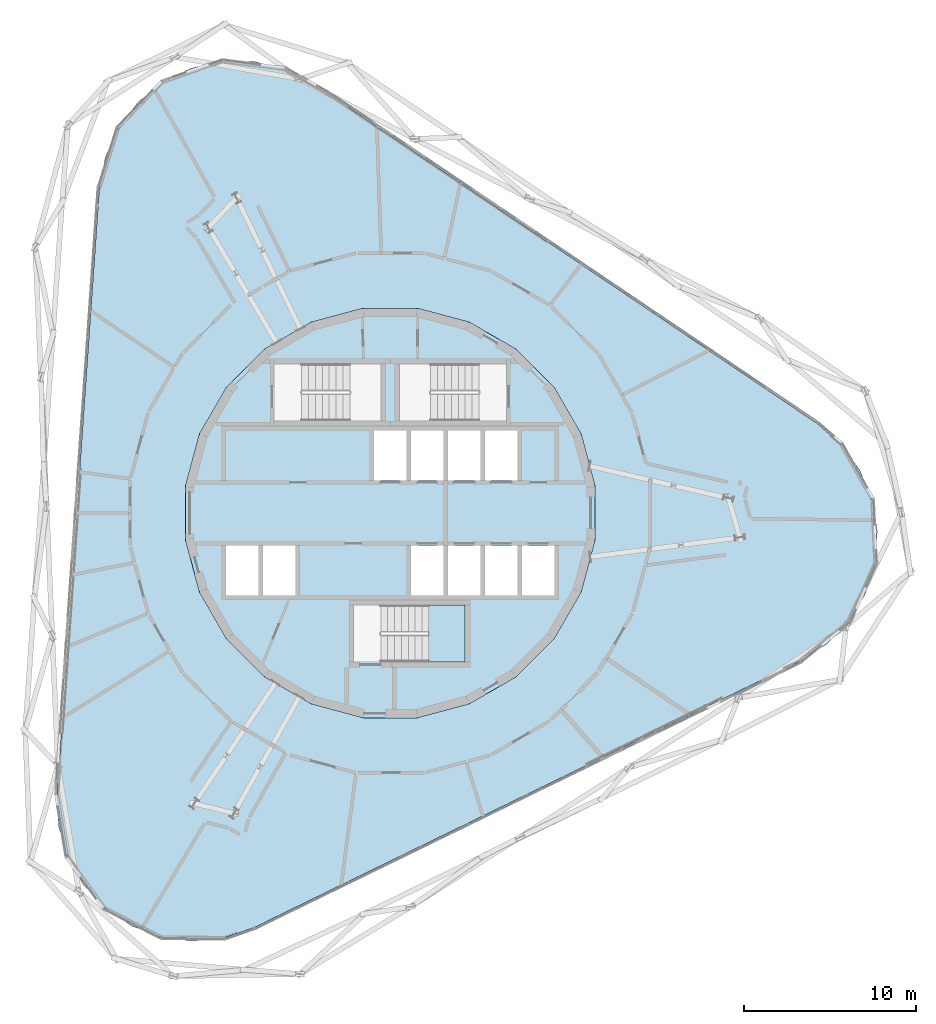
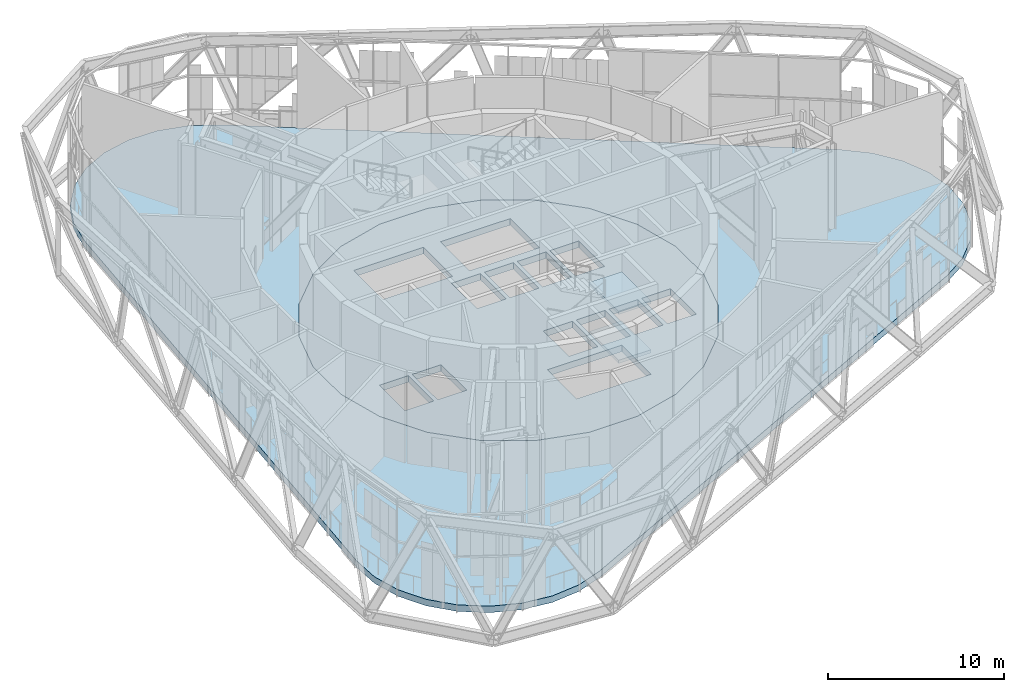
# One storey, part 11 of 24: 4 slabs, 1 element without a shape of its own.
"""IFC4 building model written with IfcOpenShell, lengths in metres."""

import ifcopenshell
import ifcopenshell.guid

model = None  # the IFC model being written
_history = None  # IfcOwnerHistory: only IFC2X3 demands one
_inside = {}  # id of a spatial element -> (the spatial element, [elements in it])
_under = {}  # id of a project, library or spatial element -> (it, [spatial elements below it])
_declared = {}  # id of a project -> (the project, [libraries it declares])
_typed = {}  # id of a type object -> (the type object, [elements of that type])
_made_of = {}  # id of a material, layer set ... -> (it, [elements and type objects made of it])


def new_model(schema):
    """Start an empty IFC model of exactly this schema.

    Asked for "IFC4X3", IfcOpenShell would pick the latest addendum, in which some entities
    have other attributes; the version numbers below select the first issue.
    IFC2X3 requires an IfcOwnerHistory on every rooted entity: one is made here for all.
    """
    global model, _history
    if schema == "IFC4X3":
        model = ifcopenshell.file(schema_version=(4, 3, 0, 0))
    else:
        model = ifcopenshell.file(schema=schema)
    _inside.clear()
    _under.clear()
    _declared.clear()
    _typed.clear()
    _made_of.clear()
    _history = None
    if model.schema == "IFC2X3":
        org = make("IfcOrganization", Name="unknown")
        user = make(
            "IfcPersonAndOrganization",
            ThePerson=make("IfcPerson", FamilyName="unknown"),
            TheOrganization=org,
        )
        app = make(
            "IfcApplication",
            ApplicationDeveloper=org,
            Version="unknown",
            ApplicationFullName="unknown",
            ApplicationIdentifier="unknown",
        )
        _history = make(
            "IfcOwnerHistory",
            OwningUser=user,
            OwningApplication=app,
            ChangeAction="ADDED",
            CreationDate=0,
        )
    return model


def make(cls, **values):
    """One entity of the class cls with the attributes given. An attribute that is None is left unset."""
    return model.create_entity(
        cls, **{name: value for name, value in values.items() if value is not None}
    )


def rooted(cls, **values):
    """An entity with a GlobalId (a new one), such as an element, a storey or a relation."""
    return make(cls, GlobalId=ifcopenshell.guid.new(), OwnerHistory=_history, **values)


def si_unit(unit_type, name, prefix=None):
    """IfcSIUnit, for example si_unit("LENGTHUNIT", "METRE", prefix="MILLI")."""
    return make("IfcSIUnit", UnitType=unit_type, Prefix=prefix, Name=name)


def assignment(units):
    """IfcUnitAssignment: the units of a project."""
    return None if units is None else make("IfcUnitAssignment", Units=units)


def point(xyz):
    """IfcCartesianPoint."""
    return None if xyz is None else make("IfcCartesianPoint", Coordinates=xyz)


def direction(xyz):
    """IfcDirection."""
    return None if xyz is None else make("IfcDirection", DirectionRatios=xyz)


def frame(location, z_axis=None, x_axis=None):
    """IfcAxis2Placement3D, a coordinate frame: its origin and axes. An axis left out is left unset."""
    return make(
        "IfcAxis2Placement3D",
        Location=point(location),
        Axis=direction(z_axis),
        RefDirection=direction(x_axis),
    )


def origin():
    """The frame at (0, 0, 0) with its axes left unset."""
    return frame((0.0, 0.0, 0.0))


def place(relative_to, where):
    """IfcLocalPlacement: puts the frame where relative to a parent placement (None: the world)."""
    return make(
        "IfcLocalPlacement", PlacementRelTo=relative_to, RelativePlacement=where
    )


def context(
    kind, dimensions, precision=None, world=None, true_north=None, identifier=None
):
    """IfcGeometricRepresentationContext, for example the 3D "Model" context."""
    return make(
        "IfcGeometricRepresentationContext",
        ContextIdentifier=identifier,
        ContextType=kind,
        CoordinateSpaceDimension=dimensions,
        Precision=precision,
        WorldCoordinateSystem=world,
        TrueNorth=true_north,
    )


def subcontext(parent, identifier, kind, view, scale=None):
    """IfcGeometricRepresentationSubContext, for example "Body" below "Model"."""
    return make(
        "IfcGeometricRepresentationSubContext",
        ContextIdentifier=identifier,
        ContextType=kind,
        ParentContext=parent,
        TargetScale=scale,
        TargetView=view,
    )


def project(units=None, contexts=None):
    """IfcProject with its units and contexts."""
    return rooted(
        "IfcProject",
        Name="project",
        RepresentationContexts=contexts,
        UnitsInContext=assignment(units),
    )


def spatial(cls, under=None, at=None, **own):
    """A site, building, storey or space (cls), placed at a placement, below another one or the project."""
    s = rooted(cls, ObjectPlacement=at, **own)
    if under is not None:
        _under.setdefault(under.id(), (under, []))[1].append(s)
    return s


def polyline(points):
    """IfcPolyline through the points."""
    return make("IfcPolyline", Points=[point(p) for p in points])


def outline(outer, holes=None, kind="AREA"):
    """IfcArbitraryClosedProfileDef: a profile drawn as a closed curve; with holes, ...WithVoids."""
    if holes is None:
        return make("IfcArbitraryClosedProfileDef", ProfileType=kind, OuterCurve=outer)
    return make(
        "IfcArbitraryProfileDefWithVoids",
        ProfileType=kind,
        OuterCurve=outer,
        InnerCurves=holes,
    )


def extrude(swept, where, along, depth):
    """IfcExtrudedAreaSolid: the profile swept, set in the frame where, extruded along a direction by depth."""
    return make(
        "IfcExtrudedAreaSolid",
        SweptArea=swept,
        Position=where,
        ExtrudedDirection=direction(along),
        Depth=depth,
    )


def shape(context_of_items, identifier, shape_type, items):
    """IfcShapeRepresentation: the items that make up one representation, for example the "Body"."""
    return make(
        "IfcShapeRepresentation",
        ContextOfItems=context_of_items,
        RepresentationIdentifier=identifier,
        RepresentationType=shape_type,
        Items=items,
    )


def material(Name=None, Category=None):
    """IfcMaterial."""
    return make("IfcMaterial", Name=Name, Category=Category)


def layer(
    of_material, thickness, ventilated=None, Name=None, Category=None, Priority=None
):
    """IfcMaterialLayer: one layer of a wall or slab, of a material (None: an air gap)."""
    return make(
        "IfcMaterialLayer",
        Material=of_material,
        LayerThickness=thickness,
        IsVentilated=ventilated,
        Name=Name,
        Category=Category,
        Priority=Priority,
    )


def layer_set(layers, Name=None):
    """IfcMaterialLayerSet."""
    return make("IfcMaterialLayerSet", MaterialLayers=layers, LayerSetName=Name)


def made_of(thing, what):
    """Note that an element or type object is made of a material, layer set ...; save() writes the relation."""
    if what is not None:
        _made_of.setdefault(what.id(), (what, []))[1].append(thing)
    return thing


def type_object(cls, material=None, **own):
    """A type object (cls), such as IfcWallType, which elements share."""
    return made_of(rooted(cls, **own), material)


def element(
    cls,
    number,
    at=None,
    inside=None,
    cuts=None,
    type_object=None,
    material=None,
    context=None,
    identifier="Body",
    shape_type=None,
    held_by="IfcProductDefinitionShape",
    body=None,
    shapes=None,
    **own,
):
    """One element of the class cls, such as IfcWall. Its Tag is "e" and its number.

    at: its placement. inside: the storey or other place that contains it. cuts: it is an
    opening in that element (IfcRelVoidsElement). A single representation is given by context,
    identifier, shape_type and body (its items); several are given by shapes. held_by: the class
    of the entity that holds the representations. save() writes the other relations.
    """
    e = rooted(cls, Tag="e%d" % number, ObjectPlacement=at, **own)
    if body is not None:
        shapes = [shape(context, identifier, shape_type, body)]
    if shapes is not None:
        e.Representation = make(held_by, Representations=shapes)
    if inside is not None:
        _inside.setdefault(inside.id(), (inside, []))[1].append(e)
    if cuts is not None:
        rooted(
            "IfcRelVoidsElement", RelatingBuildingElement=cuts, RelatedOpeningElement=e
        )
    if type_object is not None:
        _typed.setdefault(type_object.id(), (type_object, []))[1].append(e)
    return made_of(e, material)


def aggregate(whole, parts):
    """IfcRelAggregates: a whole, such as a stair, and the parts it consists of."""
    return rooted("IfcRelAggregates", RelatingObject=whole, RelatedObjects=parts)


def save(model, path):
    """Write the relations noted so far, then the file.

    IfcRelAggregates (storeys below a building ...), IfcRelContainedInSpatialStructure (elements
    in a storey), IfcRelDefinesByType, IfcRelAssociatesMaterial and IfcRelDeclares: one each for
    every whole, place, type object, material and project.
    """
    for whole, parts in _under.values():
        aggregate(whole, parts)
    for where, things in _inside.values():
        rooted(
            "IfcRelContainedInSpatialStructure",
            RelatedElements=things,
            RelatingStructure=where,
        )
    for kind, things in _typed.values():
        rooted("IfcRelDefinesByType", RelatedObjects=things, RelatingType=kind)
    for what, things in _made_of.values():
        rooted("IfcRelAssociatesMaterial", RelatedObjects=things, RelatingMaterial=what)
    for by, libraries in _declared.values():
        rooted("IfcRelDeclares", RelatingContext=by, RelatedDefinitions=libraries)
    model.write(path)


model = new_model("IFC4")

# Units and contexts
model_context = context("Model", 3, precision=1e-05, world=origin(), true_north=direction((0.0, 1.0)))
body_context = subcontext(model_context, "Body", "Model", "MODEL_VIEW")
ifc_project = project(units=[si_unit("LENGTHUNIT", "METRE"), si_unit("AREAUNIT", "SQUARE_METRE"), si_unit("VOLUMEUNIT", "CUBIC_METRE"), si_unit("PLANEANGLEUNIT", "RADIAN"), si_unit("MASSUNIT", "GRAM", prefix="KILO")], contexts=[model_context])

# Site, building, storey
site_placement = place(None, origin())
site = spatial("IfcSite", under=ifc_project, at=site_placement, CompositionType="ELEMENT")
building_placement = place(site_placement, origin())
building = spatial("IfcBuilding", under=site, at=building_placement, Name="Spindle Arch Residences", CompositionType="ELEMENT")
storey_placement = place(building_placement, frame((0.0, 0.0, 219.89990234375)))
storey = spatial("IfcBuildingStorey", under=building, at=storey_placement, Name="L56", CompositionType="ELEMENT", Elevation=219.89990234375)

# Slabs
ifc_material_1 = material(Name="Concrete C40/50", Category="concrete")
ifc_layer_1 = layer(ifc_material_1, 0.449951171875)
ifc_layer_set_1 = layer_set([ifc_layer_1], Name="Compartment floor slab 450")
slab_type_1 = type_object("IfcSlabType", Name="Compartment floor slab 450", PredefinedType="FLOOR", material=ifc_layer_set_1)
slab_1_placement = place(storey_placement, frame((0.0, 0.0, -0.449951171875)))
element("IfcSlab", 1, at=slab_1_placement, inside=storey, type_object=slab_type_1, Name="Floor slab L56", PredefinedType="FLOOR", context=body_context, shape_type="SweptSolid", body=[
    extrude(outline(polyline([(-7.87890625, -24.07080078125), (-9.6318359375, -24.685791015625), (-11.47900390625, -24.8798828125), (-13.3212890625, -24.642822265625), (-15.059326171875, -23.9873046875), (-16.599365234375, -22.948486328125), (-17.858154296875, -21.582763671875), (-18.76806640625, -19.96337890625), (-19.280029296875, -18.177978515625), (-19.366455078125, -16.322509765625), (-16.906494140625, 18.85888671875), (-16.5625, 20.684326171875), (-15.80712890625, 22.381103515625), (-14.6806640625, 23.858154296875), (-13.243896484375, 25.035400390625), (-11.574462890625, 25.849609375), (-9.76220703125, 26.257080078125), (-7.90478515625, 26.2353515625), (-6.1025390625, 25.785888671875), (-4.452392578125, 24.93310546875), (24.785400390625, 5.2119140625), (26.1943359375, 4.00146484375), (27.2861328125, 2.498779296875), (28.001953125, 0.784912109375), (28.30322265625, -1.048095703125), (28.173583984375, -2.901123046875), (27.620361328125, -4.67431640625), (26.6728515625, -6.27197265625), (25.382568359375, -7.608154296875), (23.81884765625, -8.610595703125), (7.969970703125, -16.3408203125), (-7.87890625, -24.07080078125)]), holes=[polyline([(4.59228515625, -11.086669921875), (7.30517578125, -9.520263671875), (9.520263671875, -7.30517578125), (11.086669921875, -4.59228515625), (11.897216796875, -1.56640625), (11.897216796875, 1.56640625), (11.086669921875, 4.59228515625), (9.520263671875, 7.30517578125), (7.30517578125, 9.520263671875), (4.59228515625, 11.086669921875), (1.56640625, 11.897216796875), (-1.56640625, 11.897216796875), (-4.59228515625, 11.086669921875), (-7.30517578125, 9.520263671875), (-9.520263671875, 7.30517578125), (-11.086669921875, 4.59228515625), (-11.897216796875, 1.56640625), (-11.897216796875, -1.56640625), (-11.086669921875, -4.59228515625), (-9.520263671875, -7.30517578125), (-7.30517578125, -9.520263671875), (-4.59228515625, -11.086669921875), (-1.56640625, -11.897216796875), (1.56640625, -11.897216796875), (4.59228515625, -11.086669921875)])]), origin(), (0.0, 0.0, 1.0), 0.449951171875),
])
ifc_material_2 = material(Name="Concrete C50/60", Category="concrete")
ifc_layer_2 = layer(ifc_material_2, 0.449951171875)
ifc_layer_set_2 = layer_set([ifc_layer_2], Name="Core floor slab 450")
slab_type_2 = type_object("IfcSlabType", Name="Core floor slab 450", PredefinedType="FLOOR", material=ifc_layer_set_2)
slab_2_placement = place(storey_placement, frame((0.0, 0.0, -0.449951171875)))
element("IfcSlab", 2, at=slab_2_placement, inside=storey, type_object=slab_type_2, Name="Core floor L56", PredefinedType="FLOOR", context=body_context, shape_type="SweptSolid", body=[
    extrude(outline(polyline([(1.56640625, -11.897216796875), (4.59228515625, -11.086669921875), (7.30517578125, -9.520263671875), (9.520263671875, -7.30517578125), (11.086669921875, -4.59228515625), (11.897216796875, -1.56640625), (11.897216796875, 1.56640625), (11.086669921875, 4.59228515625), (9.520263671875, 7.30517578125), (7.30517578125, 9.520263671875), (4.59228515625, 11.086669921875), (1.56640625, 11.897216796875), (-1.56640625, 11.897216796875), (-4.59228515625, 11.086669921875), (-7.30517578125, 9.520263671875), (-9.520263671875, 7.30517578125), (-11.086669921875, 4.59228515625), (-11.897216796875, 1.56640625), (-11.897216796875, -1.56640625), (-11.086669921875, -4.59228515625), (-9.520263671875, -7.30517578125), (-7.30517578125, -9.520263671875), (-4.59228515625, -11.086669921875), (-1.56640625, -11.897216796875), (1.56640625, -11.897216796875)]), holes=[polyline([(-0.949951171875, 1.89990234375), (0.949951171875, 1.89990234375), (0.949951171875, 4.800048828125), (-0.949951171875, 4.800048828125), (-0.949951171875, 1.89990234375)]), polyline([(1.199951171875, 1.89990234375), (3.10009765625, 1.89990234375), (3.10009765625, 4.800048828125), (1.199951171875, 4.800048828125), (1.199951171875, 1.89990234375)]), polyline([(3.35009765625, 1.89990234375), (5.25, 1.89990234375), (5.25, 4.800048828125), (3.35009765625, 4.800048828125), (3.35009765625, 1.89990234375)]), polyline([(5.5, 1.89990234375), (7.39990234375, 1.89990234375), (7.39990234375, 4.800048828125), (5.5, 4.800048828125), (5.5, 1.89990234375)]), polyline([(-9.550048828125, -4.800048828125), (-7.64990234375, -4.800048828125), (-7.64990234375, -1.89990234375), (-9.550048828125, -1.89990234375), (-9.550048828125, -4.800048828125)]), polyline([(-7.39990234375, -4.800048828125), (-5.5, -4.800048828125), (-5.5, -1.89990234375), (-7.39990234375, -1.89990234375), (-7.39990234375, -4.800048828125)]), polyline([(1.199951171875, -4.800048828125), (3.10009765625, -4.800048828125), (3.10009765625, -1.89990234375), (1.199951171875, -1.89990234375), (1.199951171875, -4.800048828125)]), polyline([(3.35009765625, -4.800048828125), (5.25, -4.800048828125), (5.25, -1.89990234375), (3.35009765625, -1.89990234375), (3.35009765625, -4.800048828125)]), polyline([(5.5, -4.800048828125), (7.39990234375, -4.800048828125), (7.39990234375, -1.89990234375), (5.5, -1.89990234375), (5.5, -4.800048828125)]), polyline([(7.64990234375, -4.800048828125), (9.550048828125, -4.800048828125), (9.550048828125, -1.89990234375), (7.64990234375, -1.89990234375), (7.64990234375, -4.800048828125)]), polyline([(5.1298828125, 8.669921875), (0.550048828125, 8.669921875), (0.550048828125, 5.35009765625), (5.1298828125, 5.35009765625), (5.1298828125, 8.669921875)]), polyline([(-5.1298828125, 5.35009765625), (-0.550048828125, 5.35009765625), (-0.550048828125, 8.669921875), (-5.1298828125, 8.669921875), (-5.1298828125, 5.35009765625)]), polyline([(-0.530029296875, -8.669921875), (4.35009765625, -8.669921875), (4.35009765625, -5.35009765625), (-0.530029296875, -5.35009765625), (-0.530029296875, -8.669921875)])]), origin(), (0.0, 0.0, 1.0), 0.449951171875),
])

# Stair, slabs
ifc_material_3 = material(Name="Concrete C50/60", Category="concrete")
stair_type = type_object("IfcStairType", Name="Exit stair 32 risers", PredefinedType="HALF_TURN_STAIR", material=ifc_material_3)
stair_placement = place(storey_placement, origin())
stair = element("IfcStair", 3, at=stair_placement, inside=storey, type_object=stair_type, Name="L56 Exit stair ST3", PredefinedType="HALF_TURN_STAIR")
ifc_material_4 = material(Name="Concrete C50/60", Category="concrete")
ifc_layer_3 = layer(ifc_material_4, 0.219970703125)
ifc_layer_set_3 = layer_set([ifc_layer_3], Name="Exit stair landing 220")
slab_type_3 = type_object("IfcSlabType", Name="Exit stair landing 220", PredefinedType="LANDING", material=ifc_layer_set_3)
slab_3_placement = place(storey_placement, frame((0.0, 0.0, 1.47998046875)))
slab_3 = element("IfcSlab", 4, at=slab_3_placement, type_object=slab_type_3, Name="ST3 landing 1", PredefinedType="LANDING", context=body_context, shape_type="SweptSolid", body=[
    extrude(outline(polyline([(2.22998046875, -8.669921875), (4.35009765625, -8.669921875), (4.35009765625, -5.35009765625), (2.22998046875, -5.35009765625), (2.22998046875, -8.669921875)])), origin(), (0.0, 0.0, 1.0), 0.22021484375),
])
slab_4_placement = place(storey_placement, frame((0.0, 0.0, 4.880126953125)))
slab_4 = element("IfcSlab", 5, at=slab_4_placement, type_object=slab_type_3, Name="ST3 landing 3", PredefinedType="LANDING", context=body_context, shape_type="SweptSolid", body=[
    extrude(outline(polyline([(2.22998046875, -8.669921875), (4.35009765625, -8.669921875), (4.35009765625, -5.35009765625), (2.22998046875, -5.35009765625), (2.22998046875, -8.669921875)])), origin(), (0.0, 0.0, 1.0), 0.219970703125),
])
aggregate(stair, [slab_3, slab_4])

save(model, "model.ifc")
